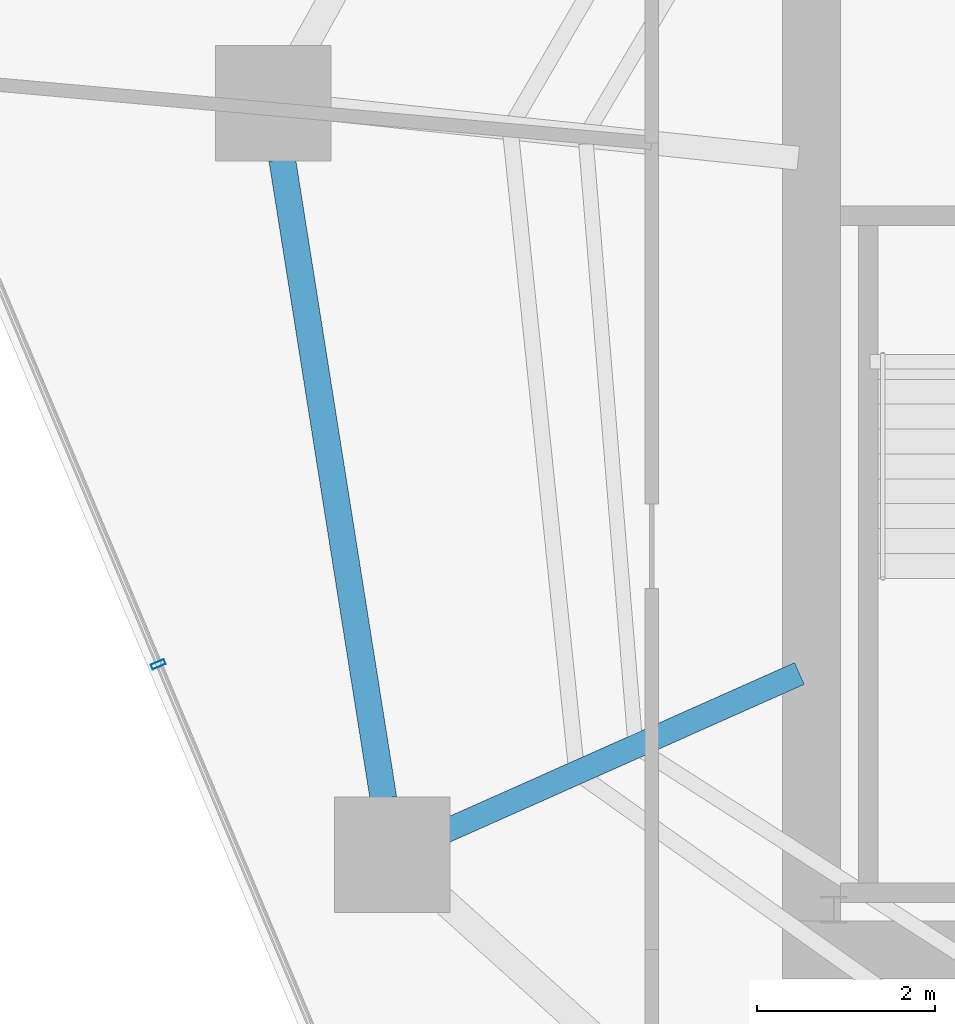
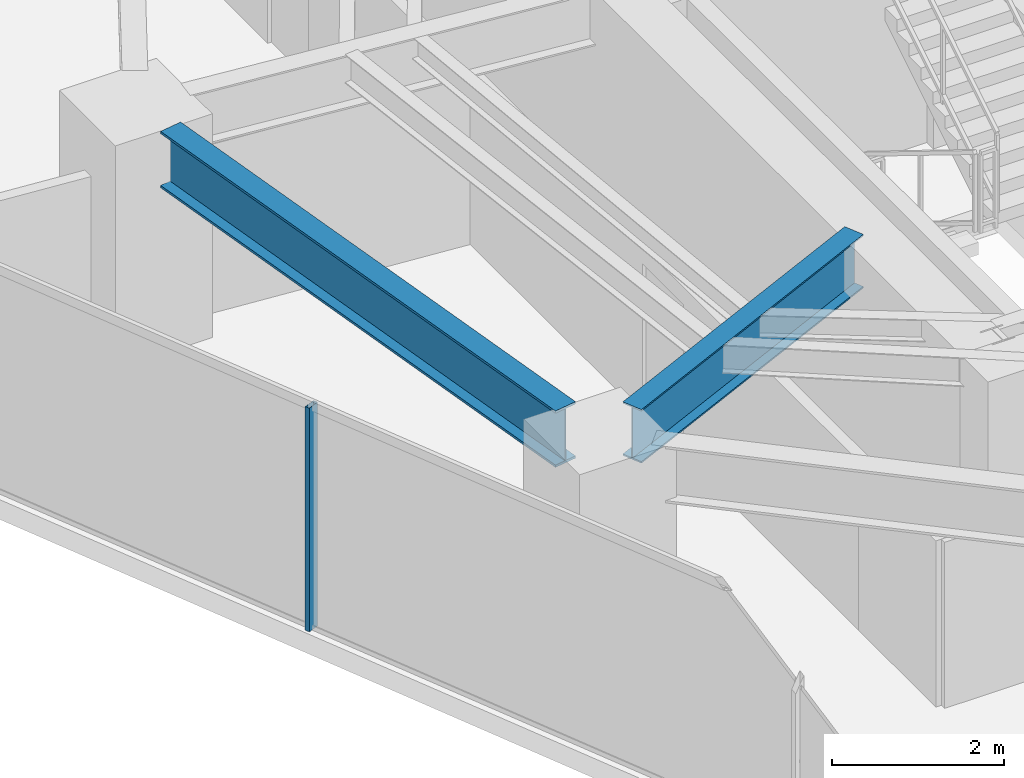
# One storey, part 7 of 30: 2 beams, 1 member, 1 element without a shape of its own.
"""IFC4 building model written with IfcOpenShell, lengths in metres."""

from ifc_helpers import new_model, si_unit, direction, frame, origin, origin_2d, place, context, subcontext, project, spatial, hollow_rectangle, i_section, extrude, material, layer, layer_set, material_profile, profile_set, type_object, element, aggregate, save


model = new_model("IFC4")

# Units and contexts
model_context = context("Model", 3, precision=1e-05, world=origin(), true_north=direction((0.0, 1.0)))
body_context = subcontext(model_context, "Body", "Model", "MODEL_VIEW")
ifc_project = project(units=[si_unit("LENGTHUNIT", "METRE"), si_unit("AREAUNIT", "SQUARE_METRE"), si_unit("VOLUMEUNIT", "CUBIC_METRE"), si_unit("PLANEANGLEUNIT", "RADIAN"), si_unit("MASSUNIT", "GRAM", prefix="KILO")], contexts=[model_context])

# Site, building, storey
site_placement = place(None, origin())
site = spatial("IfcSite", under=ifc_project, at=site_placement, CompositionType="ELEMENT")
building_placement = place(site_placement, origin())
building = spatial("IfcBuilding", under=site, at=building_placement, Name="Qarnah Convention Tower", CompositionType="ELEMENT")
storey_placement = place(building_placement, frame((0.0, 0.0, 40.800048828125)))
storey = spatial("IfcBuildingStorey", under=building, at=storey_placement, Name="L09", CompositionType="ELEMENT", Elevation=40.800048828125)

# Beams
ifc_material_1 = material(Name="Structural steel S355JR", Category="steel")
ifc_material_profile_1 = material_profile(ifc_material_1, i_section(OverallWidth=0.26806640625, OverallDepth=0.760009765625, WebThickness=0.014892578125, FlangeThickness=0.02197265625, at=origin_2d()), Name="W760X185")
ifc_profile_set_1 = profile_set([ifc_material_profile_1], Name="Structural steel S355JR")
beam_type_1 = type_object("IfcBeamType", Name="BM-RAD-W760", PredefinedType="BEAM", material=ifc_profile_set_1)
beam_1_placement = place(storey_placement, frame((26.6630859375, 21.708984375, 2.7900390625), z_axis=(-0.913519753242, -0.406794371195, 0.0), x_axis=(0.406794371195, -0.913519753242, 0.0)))
element("IfcBeam", 1, at=beam_1_placement, inside=storey, type_object=beam_type_1, Name="L09 beam BM-L09-RAD-06", PredefinedType="BEAM", context=body_context, shape_type="SweptSolid", body=[
    extrude(i_section(OverallWidth=0.26806640625, OverallDepth=0.760009765625, WebThickness=0.014892578125, FlangeThickness=0.02197265625, at=origin_2d()), origin(), (0.0, 0.0, 1.0), 4.38525390625),
])
ifc_material_profile_2 = material_profile(ifc_material_1, i_section(OverallWidth=0.300048828125, OverallDepth=0.800048828125, WebThickness=0.01806640625, FlangeThickness=0.032958984375, at=origin_2d()), Name="HEB800")
ifc_profile_set_2 = profile_set([ifc_material_profile_2], Name="Structural steel S355JR")
beam_type_2 = type_object("IfcBeamType", Name="BM-RING-HEB800", PredefinedType="BEAM", material=ifc_profile_set_2)
beam_2_placement = place(storey_placement, frame((20.841064453125, 27.498046875, 2.77001953125), z_axis=(0.156433977502, -0.987688417814, 0.0), x_axis=(0.987688417814, 0.156433977502, 0.0)))
element("IfcBeam", 2, at=beam_2_placement, inside=storey, type_object=beam_type_2, Name="L09 beam BM-L09-SPN-05", PredefinedType="BEAM", context=body_context, shape_type="SweptSolid", body=[
    extrude(i_section(OverallWidth=0.300048828125, OverallDepth=0.800048828125, WebThickness=0.01806640625, FlangeThickness=0.032958984375, at=origin_2d()), origin(), (0.0, 0.0, 1.0), 7.28662109375),
])

# Curtain wall, member
ifc_material_2 = material(Name="Tempered Low-E dark glass", Category="glass")
ifc_layer = layer(ifc_material_2, 0.16796875)
ifc_layer_set = layer_set([ifc_layer], Name="Tempered Low-E dark glass")
curtain_wall_type = type_object("IfcCurtainWallType", Name="CWS-01", PredefinedType="NOTDEFINED", material=ifc_layer_set)
curtain_wall_placement = place(storey_placement, origin())
curtain_wall = element("IfcCurtainWall", 3, at=curtain_wall_placement, inside=storey, type_object=curtain_wall_type, Name="L09 unitised curtain wall CW-L09-F1", PredefinedType="NOTDEFINED")
ifc_material_3 = material(Name="Black anodised aluminium", Category="aluminium")
ifc_material_profile_3 = material_profile(ifc_material_3, hollow_rectangle(XDim=0.06005859375, YDim=0.159912109375, WallThickness=0.00390625, at=origin_2d()), Name="MUL-60X160")
ifc_profile_set_3 = profile_set([ifc_material_profile_3], Name="Black anodised aluminium")
member_type = type_object("IfcMemberType", Name="MUL-T1", PredefinedType="MULLION", material=ifc_profile_set_3)
member_placement = place(storey_placement, frame((19.446533203125, 21.8125, 0.0), z_axis=(0.0, 0.0, 1.0), x_axis=(-0.387513462631, 0.921864044358, 0.0)))
member = element("IfcMember", 4, at=member_placement, type_object=member_type, Name="CW-L09-F1 mullion 4", PredefinedType="MULLION", context=body_context, shape_type="SweptSolid", body=[
    extrude(hollow_rectangle(XDim=0.06005859375, YDim=0.159912109375, WallThickness=0.00390625, at=origin_2d()), origin(), (0.0, 0.0, 1.0), 3.169921875),
])
aggregate(curtain_wall, [member])

save(model, "model.ifc")
